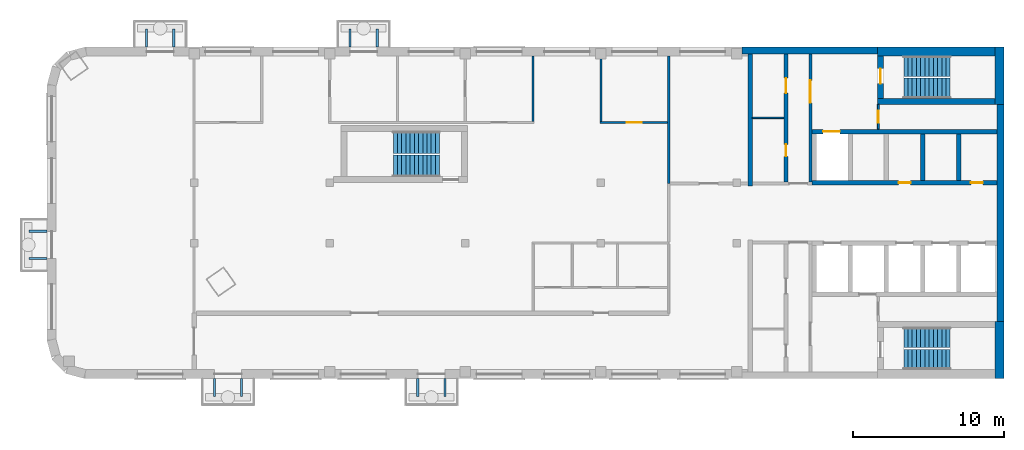
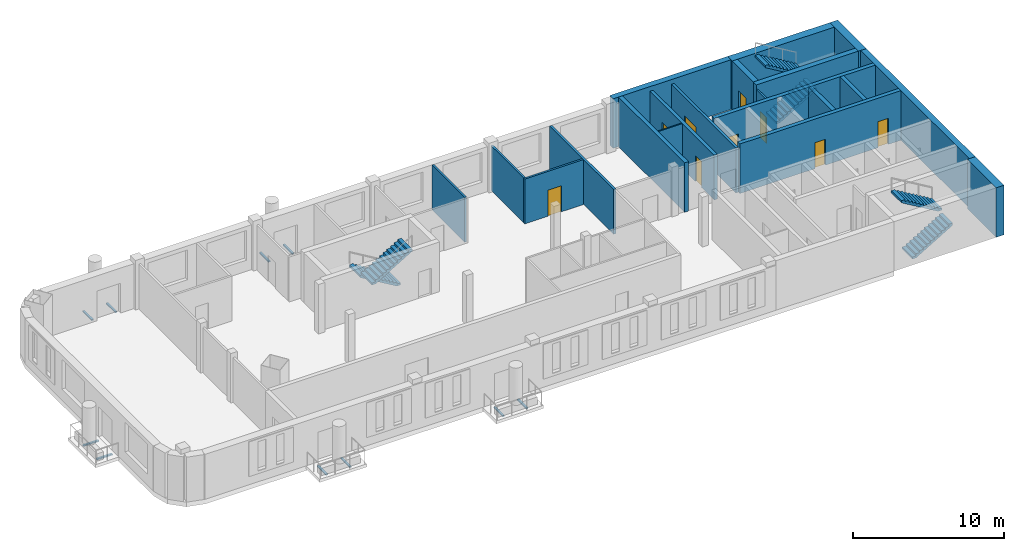
# One storey, part 4 of 7: 20 walls, 10 discrete accessories, 9 doors, 6 stair flights, 9 openings, 3 elements without a shape of their own.
"""IFC4 building model written with IfcOpenShell, lengths in metres."""

import ifcopenshell
import ifcopenshell.guid

model = None  # the IFC model being written
_history = None  # IfcOwnerHistory: only IFC2X3 demands one
_inside = {}  # id of a spatial element -> (the spatial element, [elements in it])
_under = {}  # id of a project, library or spatial element -> (it, [spatial elements below it])
_declared = {}  # id of a project -> (the project, [libraries it declares])
_typed = {}  # id of a type object -> (the type object, [elements of that type])
_made_of = {}  # id of a material, layer set ... -> (it, [elements and type objects made of it])


def new_model(schema):
    """Start an empty IFC model of exactly this schema.

    Asked for "IFC4X3", IfcOpenShell would pick the latest addendum, in which some entities
    have other attributes; the version numbers below select the first issue.
    IFC2X3 requires an IfcOwnerHistory on every rooted entity: one is made here for all.
    """
    global model, _history
    if schema == "IFC4X3":
        model = ifcopenshell.file(schema_version=(4, 3, 0, 0))
    else:
        model = ifcopenshell.file(schema=schema)
    _inside.clear()
    _under.clear()
    _declared.clear()
    _typed.clear()
    _made_of.clear()
    _history = None
    if model.schema == "IFC2X3":
        org = make("IfcOrganization", Name="unknown")
        user = make(
            "IfcPersonAndOrganization",
            ThePerson=make("IfcPerson", FamilyName="unknown"),
            TheOrganization=org,
        )
        app = make(
            "IfcApplication",
            ApplicationDeveloper=org,
            Version="unknown",
            ApplicationFullName="unknown",
            ApplicationIdentifier="unknown",
        )
        _history = make(
            "IfcOwnerHistory",
            OwningUser=user,
            OwningApplication=app,
            ChangeAction="ADDED",
            CreationDate=0,
        )
    return model


def make(cls, **values):
    """One entity of the class cls with the attributes given. An attribute that is None is left unset."""
    return model.create_entity(
        cls, **{name: value for name, value in values.items() if value is not None}
    )


def rooted(cls, **values):
    """An entity with a GlobalId (a new one), such as an element, a storey or a relation."""
    return make(cls, GlobalId=ifcopenshell.guid.new(), OwnerHistory=_history, **values)


def si_unit(unit_type, name, prefix=None):
    """IfcSIUnit, for example si_unit("LENGTHUNIT", "METRE", prefix="MILLI")."""
    return make("IfcSIUnit", UnitType=unit_type, Prefix=prefix, Name=name)


def assignment(units):
    """IfcUnitAssignment: the units of a project."""
    return None if units is None else make("IfcUnitAssignment", Units=units)


def point(xyz):
    """IfcCartesianPoint."""
    return None if xyz is None else make("IfcCartesianPoint", Coordinates=xyz)


def direction(xyz):
    """IfcDirection."""
    return None if xyz is None else make("IfcDirection", DirectionRatios=xyz)


def frame(location, z_axis=None, x_axis=None):
    """IfcAxis2Placement3D, a coordinate frame: its origin and axes. An axis left out is left unset."""
    return make(
        "IfcAxis2Placement3D",
        Location=point(location),
        Axis=direction(z_axis),
        RefDirection=direction(x_axis),
    )


def frame_2d(location, x_axis=None):
    """IfcAxis2Placement2D, a coordinate frame in the plane: its origin and x axis."""
    return make(
        "IfcAxis2Placement2D", Location=point(location), RefDirection=direction(x_axis)
    )


def origin():
    """The frame at (0, 0, 0) with its axes left unset."""
    return frame((0.0, 0.0, 0.0))


def origin_2d():
    """The frame at (0, 0) in the plane with its x axis left unset."""
    return frame_2d((0.0, 0.0))


def place(relative_to, where):
    """IfcLocalPlacement: puts the frame where relative to a parent placement (None: the world)."""
    return make(
        "IfcLocalPlacement", PlacementRelTo=relative_to, RelativePlacement=where
    )


def context(
    kind, dimensions, precision=None, world=None, true_north=None, identifier=None
):
    """IfcGeometricRepresentationContext, for example the 3D "Model" context."""
    return make(
        "IfcGeometricRepresentationContext",
        ContextIdentifier=identifier,
        ContextType=kind,
        CoordinateSpaceDimension=dimensions,
        Precision=precision,
        WorldCoordinateSystem=world,
        TrueNorth=true_north,
    )


def subcontext(parent, identifier, kind, view, scale=None):
    """IfcGeometricRepresentationSubContext, for example "Body" below "Model"."""
    return make(
        "IfcGeometricRepresentationSubContext",
        ContextIdentifier=identifier,
        ContextType=kind,
        ParentContext=parent,
        TargetScale=scale,
        TargetView=view,
    )


def project(units=None, contexts=None):
    """IfcProject with its units and contexts."""
    return rooted(
        "IfcProject",
        Name="project",
        RepresentationContexts=contexts,
        UnitsInContext=assignment(units),
    )


def spatial(cls, under=None, at=None, **own):
    """A site, building, storey or space (cls), placed at a placement, below another one or the project."""
    s = rooted(cls, ObjectPlacement=at, **own)
    if under is not None:
        _under.setdefault(under.id(), (under, []))[1].append(s)
    return s


def polyline(points):
    """IfcPolyline through the points."""
    return make("IfcPolyline", Points=[point(p) for p in points])


def profile(cls, at=None, kind="AREA", **sizes):
    """A parametric profile (cls). Its sizes go by their IFC names, for example OverallWidth=200.0."""
    return make(cls, ProfileType=kind, Position=at, **sizes)


def rectangle(**sizes):
    """IfcRectangleProfileDef."""
    return profile("IfcRectangleProfileDef", **sizes)


def outline(outer, holes=None, kind="AREA"):
    """IfcArbitraryClosedProfileDef: a profile drawn as a closed curve; with holes, ...WithVoids."""
    if holes is None:
        return make("IfcArbitraryClosedProfileDef", ProfileType=kind, OuterCurve=outer)
    return make(
        "IfcArbitraryProfileDefWithVoids",
        ProfileType=kind,
        OuterCurve=outer,
        InnerCurves=holes,
    )


def extrude(swept, where, along, depth):
    """IfcExtrudedAreaSolid: the profile swept, set in the frame where, extruded along a direction by depth."""
    return make(
        "IfcExtrudedAreaSolid",
        SweptArea=swept,
        Position=where,
        ExtrudedDirection=direction(along),
        Depth=depth,
    )


def shape(context_of_items, identifier, shape_type, items):
    """IfcShapeRepresentation: the items that make up one representation, for example the "Body"."""
    return make(
        "IfcShapeRepresentation",
        ContextOfItems=context_of_items,
        RepresentationIdentifier=identifier,
        RepresentationType=shape_type,
        Items=items,
    )


def material(Name=None, Category=None):
    """IfcMaterial."""
    return make("IfcMaterial", Name=Name, Category=Category)


def layer(
    of_material, thickness, ventilated=None, Name=None, Category=None, Priority=None
):
    """IfcMaterialLayer: one layer of a wall or slab, of a material (None: an air gap)."""
    return make(
        "IfcMaterialLayer",
        Material=of_material,
        LayerThickness=thickness,
        IsVentilated=ventilated,
        Name=Name,
        Category=Category,
        Priority=Priority,
    )


def layer_set(layers, Name=None):
    """IfcMaterialLayerSet."""
    return make("IfcMaterialLayerSet", MaterialLayers=layers, LayerSetName=Name)


def made_of(thing, what):
    """Note that an element or type object is made of a material, layer set ...; save() writes the relation."""
    if what is not None:
        _made_of.setdefault(what.id(), (what, []))[1].append(thing)
    return thing


def type_object(cls, material=None, **own):
    """A type object (cls), such as IfcWallType, which elements share."""
    return made_of(rooted(cls, **own), material)


def element(
    cls,
    number,
    at=None,
    inside=None,
    cuts=None,
    type_object=None,
    material=None,
    context=None,
    identifier="Body",
    shape_type=None,
    held_by="IfcProductDefinitionShape",
    body=None,
    shapes=None,
    **own,
):
    """One element of the class cls, such as IfcWall. Its Tag is "e" and its number.

    at: its placement. inside: the storey or other place that contains it. cuts: it is an
    opening in that element (IfcRelVoidsElement). A single representation is given by context,
    identifier, shape_type and body (its items); several are given by shapes. held_by: the class
    of the entity that holds the representations. save() writes the other relations.
    """
    e = rooted(cls, Tag="e%d" % number, ObjectPlacement=at, **own)
    if body is not None:
        shapes = [shape(context, identifier, shape_type, body)]
    if shapes is not None:
        e.Representation = make(held_by, Representations=shapes)
    if inside is not None:
        _inside.setdefault(inside.id(), (inside, []))[1].append(e)
    if cuts is not None:
        rooted(
            "IfcRelVoidsElement", RelatingBuildingElement=cuts, RelatedOpeningElement=e
        )
    if type_object is not None:
        _typed.setdefault(type_object.id(), (type_object, []))[1].append(e)
    return made_of(e, material)


def fill(opening, filler):
    """IfcRelFillsElement: the door or window that sits in an opening."""
    return rooted(
        "IfcRelFillsElement",
        RelatingOpeningElement=opening,
        RelatedBuildingElement=filler,
    )


def aggregate(whole, parts):
    """IfcRelAggregates: a whole, such as a stair, and the parts it consists of."""
    return rooted("IfcRelAggregates", RelatingObject=whole, RelatedObjects=parts)


def save(model, path):
    """Write the relations noted so far, then the file.

    IfcRelAggregates (storeys below a building ...), IfcRelContainedInSpatialStructure (elements
    in a storey), IfcRelDefinesByType, IfcRelAssociatesMaterial and IfcRelDeclares: one each for
    every whole, place, type object, material and project.
    """
    for whole, parts in _under.values():
        aggregate(whole, parts)
    for where, things in _inside.values():
        rooted(
            "IfcRelContainedInSpatialStructure",
            RelatedElements=things,
            RelatingStructure=where,
        )
    for kind, things in _typed.values():
        rooted("IfcRelDefinesByType", RelatedObjects=things, RelatingType=kind)
    for what, things in _made_of.values():
        rooted("IfcRelAssociatesMaterial", RelatedObjects=things, RelatingMaterial=what)
    for by, libraries in _declared.values():
        rooted("IfcRelDeclares", RelatingContext=by, RelatedDefinitions=libraries)
    model.write(path)


model = new_model("IFC4")

# Units and contexts
model_context = context("Model", 3, precision=1e-05, world=origin(), true_north=direction((0.0, 1.0)))
body_context = subcontext(model_context, "Body", "Model", "MODEL_VIEW")
ifc_project = project(units=[si_unit("LENGTHUNIT", "METRE"), si_unit("AREAUNIT", "SQUARE_METRE"), si_unit("VOLUMEUNIT", "CUBIC_METRE"), si_unit("PLANEANGLEUNIT", "RADIAN"), si_unit("MASSUNIT", "GRAM", prefix="KILO")], contexts=[model_context])

# Site, building, storey
site_placement = place(None, origin())
site = spatial("IfcSite", under=ifc_project, at=site_placement, CompositionType="ELEMENT")
building_placement = place(site_placement, origin())
building = spatial("IfcBuilding", under=site, at=building_placement, Name="Skarvind Civic Tower", CompositionType="ELEMENT")
storey_placement = place(building_placement, frame((0.0, 0.0, 265.5)))
storey = spatial("IfcBuildingStorey", under=building, at=storey_placement, Name="L63", CompositionType="ELEMENT", Elevation=265.5)

# Wall
ifc_material_1 = material(Name="Acoustic gypsum board on steel studs", Category="steel")
ifc_layer_1 = layer(ifc_material_1, 0.175048828125)
ifc_layer_set_1 = layer_set([ifc_layer_1], Name="ACOUSTIC MEETING-ROOM PARTITION 175")
wall_type_1 = type_object("IfcWallType", Name="ACOUSTIC MEETING-ROOM PARTITION 175", PredefinedType="PARTITIONING", material=ifc_layer_set_1)
wall_1_placement = place(storey_placement, frame((85.75, 129.949951171875, 0.0), z_axis=(0.0, 0.0, 1.0), x_axis=(0.0, 1.0, 0.0)))
element("IfcWall", 1, at=wall_1_placement, inside=storey, type_object=wall_type_1, Name="Partition 63.019", PredefinedType="PARTITIONING", context=body_context, shape_type="SweptSolid", body=[
    extrude(rectangle(XDim=8.449951171875, YDim=0.175048828125, at=frame_2d((4.22509765625, 0.0))), origin(), (0.0, 0.0, 1.0), 3.625),
])

# Wall, opening, door
ifc_material_2 = material(Name="Fire-rated masonry partition", Category="masonry")
ifc_layer_2 = layer(ifc_material_2, 0.199951171875)
ifc_layer_set_2 = layer_set([ifc_layer_2], Name="Core enclosure wall 200")
wall_type_2 = type_object("IfcWallType", Name="Core enclosure wall 200", PredefinedType="PARTITIONING", material=ifc_layer_set_2)
wall_2_placement = place(storey_placement, frame((95.14990234375, 130.050048828125, 0.0), z_axis=(0.0, 0.0, 1.0), x_axis=(0.0, 1.0, 0.0)))
wall_2 = element("IfcWall", 2, at=wall_2_placement, inside=storey, type_object=wall_type_2, Name="Core wall C1", PredefinedType="PARTITIONING", context=body_context, shape_type="SweptSolid", body=[
    extrude(rectangle(XDim=8.5, YDim=0.199951171875, at=frame_2d((4.25, 0.0))), origin(), (0.0, 0.0, 1.0), 3.625),
])
opening_1_placement = place(wall_2_placement, frame((5.25, 0.0, 0.0)))
opening_1 = element("IfcOpeningElement", 3, at=opening_1_placement, cuts=wall_2, Name="Opening D-L63-C1-14", PredefinedType="OPENING", context=body_context, shape_type="SweptSolid", body=[
    extrude(rectangle(XDim=1.5, YDim=2.10009765625, at=frame_2d((0.75, 1.050048828125))), frame((0.0, 0.10986328125, 0.0), z_axis=(0.0, -1.0, 0.0), x_axis=(1.0, 0.0, 0.0)), (0.0, 0.0, 1.0), 0.219970703125),
])
ifc_material_3 = material(Name="Fire-rated steel door", Category="steel")
door_type_1 = type_object("IfcDoorType", Name="Fire door 1500", OperationType="NOTDEFINED", PredefinedType="DOOR", material=ifc_material_3)
door_1_placement = place(opening_1_placement, origin())
door_1 = element("IfcDoor", 4, at=door_1_placement, inside=storey, type_object=door_type_1, Name="Fire door", OperationType="DOUBLE_DOOR_SINGLE_SWING", OverallHeight=2.10009765625, OverallWidth=1.5, PredefinedType="DOOR", context=body_context, shape_type="SweptSolid", body=[
    extrude(rectangle(XDim=1.5, YDim=2.10009765625, at=frame_2d((0.75, 1.050048828125))), frame((0.0, 0.02490234375, 0.0), z_axis=(0.0, -1.0, 0.0), x_axis=(1.0, 0.0, 0.0)), (0.0, 0.0, 1.0), 0.050048828125),
])
fill(opening_1, door_1)

# Wall
ifc_material_4 = material(Name="Fire-rated plasterboard partition")
ifc_layer_3 = layer(ifc_material_4, 0.10009765625)
ifc_layer_set_3 = layer_set([ifc_layer_3], Name="Core partition wall 100")
wall_type_3 = type_object("IfcWallType", Name="Core partition wall 100", PredefinedType="PARTITIONING", material=ifc_layer_set_3)
wall_3_placement = place(storey_placement, frame((91.300048828125, 134.300048828125, 0.0), z_axis=(0.0, 0.0, 1.0), x_axis=(1.0, 0.0, 0.0)))
element("IfcWall", 5, at=wall_3_placement, inside=storey, type_object=wall_type_3, Name="Core wall C1", PredefinedType="PARTITIONING", context=body_context, shape_type="SweptSolid", body=[
    extrude(rectangle(XDim=2.099853515625, YDim=0.10009765625, at=frame_2d((1.0498046875, 0.0))), origin(), (0.0, 0.0, 1.0), 3.625),
])

# Wall, openings, doors
ifc_material_5 = material(Name="Concrete C60", Category="concrete")
ifc_layer_4 = layer(ifc_material_5, 0.300048828125)
ifc_layer_set_4 = layer_set([ifc_layer_4], Name="Core wall 300 C60")
wall_type_4 = type_object("IfcWallType", Name="Core wall 300 C60", PredefinedType="SHEAR", material=ifc_layer_set_4)
wall_4_placement = place(storey_placement, frame((107.550048828125, 130.0, 0.0), z_axis=(0.0, 0.0, 1.0), x_axis=(-1.0, 0.0, 0.0)))
wall_4 = element("IfcWall", 6, at=wall_4_placement, inside=storey, type_object=wall_type_4, Name="Core wall C1 south lift row front L63", PredefinedType="SHEAR", context=body_context, shape_type="SweptSolid", body=[
    extrude(rectangle(XDim=12.300048828125, YDim=0.300048828125, at=frame_2d((6.14990234375, 0.0))), origin(), (0.0, 0.0, 1.0), 4.0),
])
opening_2_placement = place(wall_4_placement, frame((0.949951171875, 0.0, 0.0)))
opening_2 = element("IfcOpeningElement", 7, at=opening_2_placement, cuts=wall_4, Name="Opening D-L63-C1-05", PredefinedType="OPENING", context=body_context, shape_type="SweptSolid", body=[
    extrude(rectangle(XDim=0.800048828125, YDim=2.10009765625, at=frame_2d((0.39990234375, 1.050048828125))), frame((0.0, 0.159912109375, 0.0), z_axis=(0.0, -1.0, 0.0), x_axis=(1.0, 0.0, 0.0)), (0.0, 0.0, 1.0), 0.320068359375),
])
opening_3_placement = place(wall_4_placement, frame((5.75, 0.0, 0.0)))
opening_3 = element("IfcOpeningElement", 8, at=opening_3_placement, cuts=wall_4, Name="Opening D-L63-C1-06", PredefinedType="OPENING", context=body_context, shape_type="SweptSolid", body=[
    extrude(rectangle(XDim=0.800048828125, YDim=2.10009765625, at=frame_2d((0.39990234375, 1.050048828125))), frame((0.0, 0.159912109375, 0.0), z_axis=(0.0, -1.0, 0.0), x_axis=(1.0, 0.0, 0.0)), (0.0, 0.0, 1.0), 0.320068359375),
])
door_type_2 = type_object("IfcDoorType", Name="Core riser door 800", OperationType="NOTDEFINED", PredefinedType="DOOR", material=ifc_material_3)
door_2_placement = place(opening_2_placement, origin())
door_2 = element("IfcDoor", 9, at=door_2_placement, inside=storey, type_object=door_type_2, Name="Riser door", OperationType="SINGLE_SWING_LEFT", OverallHeight=2.10009765625, OverallWidth=0.800048828125, PredefinedType="DOOR", context=body_context, shape_type="SweptSolid", body=[
    extrude(rectangle(XDim=0.800048828125, YDim=2.10009765625, at=frame_2d((0.39990234375, 1.050048828125))), frame((0.0, 0.02490234375, 0.0), z_axis=(0.0, -1.0, 0.0), x_axis=(1.0, 0.0, 0.0)), (0.0, 0.0, 1.0), 0.050048828125),
])
fill(opening_2, door_2)
door_3_placement = place(opening_3_placement, origin())
door_3 = element("IfcDoor", 10, at=door_3_placement, inside=storey, type_object=door_type_2, Name="Riser door", OperationType="SINGLE_SWING_RIGHT", OverallHeight=2.10009765625, OverallWidth=0.800048828125, PredefinedType="DOOR", context=body_context, shape_type="SweptSolid", body=[
    extrude(rectangle(XDim=0.800048828125, YDim=2.10009765625, at=frame_2d((0.39990234375, 1.050048828125))), frame((0.0, 0.02490234375, 0.0), z_axis=(0.0, -1.0, 0.0), x_axis=(1.0, 0.0, 0.0)), (0.0, 0.0, 1.0), 0.050048828125),
])
fill(opening_3, door_3)

# Wall, opening, door
wall_5_placement = place(storey_placement, frame((107.550048828125, 133.39990234375, 0.0), z_axis=(0.0, 0.0, 1.0), x_axis=(-1.0, 0.0, 0.0)))
wall_5 = element("IfcWall", 11, at=wall_5_placement, inside=storey, type_object=wall_type_4, Name="Core wall C1 south lift row back L63", PredefinedType="SHEAR", context=body_context, shape_type="SweptSolid", body=[
    extrude(rectangle(XDim=12.300048828125, YDim=0.300048828125, at=frame_2d((6.14990234375, 0.0))), origin(), (0.0, 0.0, 1.0), 4.0),
])
opening_4_placement = place(wall_5_placement, frame((10.449951171875, 0.0, 0.0)))
opening_4 = element("IfcOpeningElement", 12, at=opening_4_placement, cuts=wall_5, Name="Opening LD65110", PredefinedType="OPENING", context=body_context, shape_type="SweptSolid", body=[
    extrude(rectangle(XDim=1.10009765625, YDim=2.10009765625, at=frame_2d((0.550048828125, 1.050048828125))), frame((0.0, 0.159912109375, 0.0), z_axis=(0.0, -1.0, 0.0), x_axis=(1.0, 0.0, 0.0)), (0.0, 0.0, 1.0), 0.320068359375),
])
ifc_material_6 = material(Name="Stainless steel landing door", Category="steel")
door_type_3 = type_object("IfcDoorType", Name="Lift landing door 1100", OperationType="DOUBLE_DOOR_SLIDING", PredefinedType="DOOR", material=ifc_material_6)
door_4_placement = place(opening_4_placement, origin())
door_4 = element("IfcDoor", 13, at=door_4_placement, inside=storey, type_object=door_type_3, Name="Lift landing door", OperationType="DOUBLE_DOOR_SLIDING", OverallHeight=2.10009765625, OverallWidth=1.10009765625, PredefinedType="DOOR", context=body_context, shape_type="SweptSolid", body=[
    extrude(rectangle(XDim=1.10009765625, YDim=2.10009765625, at=frame_2d((0.550048828125, 1.050048828125))), frame((0.0, 0.02490234375, 0.0), z_axis=(0.0, -1.0, 0.0), x_axis=(1.0, 0.0, 0.0)), (0.0, 0.0, 1.0), 0.050048828125),
])
fill(opening_4, door_4)

# Walls
for number, where, z_axis, x_axis, name in (
    (14, (105.0, 133.25, 0.0), (0.0, 0.0, 1.0), (0.0, -1.0, 0.0), "Core wall C1 south lift row division 1 L63"),
    (15, (102.60009765625, 133.25, 0.0), (0.0, 0.0, 1.0), (0.0, -1.0, 0.0), "Core wall C1 south lift row division 2 L63"),
):
    element("IfcWall", number, at=place(storey_placement, frame(where, z_axis=z_axis, x_axis=x_axis)), inside=storey, type_object=wall_type_4, Name=name, PredefinedType="SHEAR", context=body_context, shape_type="SweptSolid", body=[
        extrude(rectangle(XDim=3.10009765625, YDim=0.300048828125, at=frame_2d((1.550048828125, 0.0))), origin(), (0.0, 0.0, 1.0), 4.0),
    ])
wall_6_placement = place(storey_placement, frame((91.14990234375, 138.550048828125, 0.0), z_axis=(0.0, 0.0, 1.0), x_axis=(0.0, -1.0, 0.0)))
element("IfcWall", 16, at=wall_6_placement, inside=storey, type_object=wall_type_4, Name="Core wall C1 south inner face L63", PredefinedType="SHEAR", context=body_context, shape_type="SweptSolid", body=[
    extrude(rectangle(XDim=8.75, YDim=0.300048828125, at=frame_2d((4.375, 0.0))), origin(), (0.0, 0.0, 1.0), 4.0),
])
ifc_layer_5 = layer(ifc_material_5, 0.39990234375)
ifc_layer_set_5 = layer_set([ifc_layer_5], Name="Core wall 400 C60")
wall_type_5 = type_object("IfcWallType", Name="Core wall 400 C60", PredefinedType="SHEAR", material=ifc_layer_set_5)
wall_7_placement = place(storey_placement, frame((107.39990234375, 135.39990234375, 0.0), z_axis=(0.0, 0.0, 1.0), x_axis=(-1.0, 0.0, 0.0)))
element("IfcWall", 17, at=wall_7_placement, inside=storey, type_object=wall_type_5, Name="Core wall C1 south stair inner L63", PredefinedType="SHEAR", context=body_context, shape_type="SweptSolid", body=[
    extrude(rectangle(XDim=7.7998046875, YDim=0.39990234375, at=frame_2d((3.89990234375, 0.0))), origin(), (0.0, 0.0, 1.0), 4.0),
])

# Wall, opening, door
wall_8_placement = place(storey_placement, frame((99.800048828125, 138.39990234375, 0.0), z_axis=(0.0, 0.0, 1.0), x_axis=(0.0, -1.0, 0.0)))
wall_8 = element("IfcWall", 18, at=wall_8_placement, inside=storey, type_object=wall_type_5, Name="Core wall C1 south stair end L63", PredefinedType="SHEAR", context=body_context, shape_type="SweptSolid", body=[
    extrude(rectangle(XDim=2.7998046875, YDim=0.39990234375, at=frame_2d((1.39990234375, 0.0))), origin(), (0.0, 0.0, 1.0), 4.0),
])
opening_5_placement = place(wall_8_placement, frame((0.824951171875, 0.0, 0.0)))
opening_5 = element("IfcOpeningElement", 19, at=opening_5_placement, cuts=wall_8, Name="Opening D-L63-C1-15", PredefinedType="OPENING", context=body_context, shape_type="SweptSolid", body=[
    extrude(rectangle(XDim=1.0, YDim=2.10009765625, at=frame_2d((0.5, 1.050048828125))), frame((0.0, 0.2099609375, 0.0), z_axis=(0.0, -1.0, 0.0), x_axis=(1.0, 0.0, 0.0)), (0.0, 0.0, 1.0), 0.419921875),
])
door_type_4 = type_object("IfcDoorType", Name="Fire door 1000", OperationType="NOTDEFINED", PredefinedType="DOOR", material=ifc_material_3)
door_5_placement = place(opening_5_placement, origin())
door_5 = element("IfcDoor", 20, at=door_5_placement, inside=storey, type_object=door_type_4, Name="Fire door", OperationType="SINGLE_SWING_RIGHT", OverallHeight=2.10009765625, OverallWidth=1.0, PredefinedType="DOOR", context=body_context, shape_type="SweptSolid", body=[
    extrude(rectangle(XDim=1.0, YDim=2.10009765625, at=frame_2d((0.5, 1.050048828125))), frame((0.0, 0.02490234375, 0.0), z_axis=(0.0, -1.0, 0.0), x_axis=(1.0, 0.0, 0.0)), (0.0, 0.0, 1.0), 0.050048828125),
])
fill(opening_5, door_5)

# Walls
ifc_layer_6 = layer(ifc_material_5, 0.449951171875)
ifc_layer_set_6 = layer_set([ifc_layer_6], Name="Core wall 450 C60")
wall_type_6 = type_object("IfcWallType", Name="Core wall 450 C60", PredefinedType="SHEAR", material=ifc_layer_set_6)
wall_9_placement = place(storey_placement, frame((107.77490234375, 135.199951171875, 0.0), z_axis=(0.0, 0.0, 1.0), x_axis=(0.0, -1.0, 0.0)))
element("IfcWall", 21, at=wall_9_placement, inside=storey, type_object=wall_type_6, Name="Core wall C1 tip between the stairs L63", PredefinedType="SHEAR", context=body_context, shape_type="SweptSolid", body=[
    extrude(rectangle(XDim=14.39990234375, YDim=0.449951171875, at=frame_2d((7.199951171875, 0.0))), origin(), (0.0, 0.0, 1.0), 4.0),
])
wall_10_placement = place(storey_placement, frame((99.60009765625, 138.77490234375, 0.0), z_axis=(0.0, 0.0, 1.0), x_axis=(-1.0, 0.0, 0.0)))
element("IfcWall", 22, at=wall_10_placement, inside=storey, type_object=wall_type_6, Name="Core wall C1 south side L63", PredefinedType="SHEAR", context=body_context, shape_type="SweptSolid", body=[
    extrude(rectangle(XDim=9.0, YDim=0.449951171875, at=frame_2d((4.5, 0.0))), origin(), (0.0, 0.0, 1.0), 4.0),
])
ifc_layer_7 = layer(ifc_material_5, 0.60009765625)
ifc_layer_set_7 = layer_set([ifc_layer_7], Name="Core wall 600 C60")
wall_type_7 = type_object("IfcWallType", Name="Core wall 600 C60", PredefinedType="SHEAR", material=ifc_layer_set_7)
for number, where, z_axis, x_axis, name in (
    (23, (107.699951171875, 139.0, 0.0), (0.0, 0.0, 1.0), (0.0, -1.0, 0.0), "Core wall C1 tip at the south stair L63"),
    (24, (107.699951171875, 120.800048828125, 0.0), (0.0, 0.0, 1.0), (0.0, -1.0, 0.0), "Core wall C1 tip at the north stair L63"),
):
    element("IfcWall", number, at=place(storey_placement, frame(where, z_axis=z_axis, x_axis=x_axis)), inside=storey, type_object=wall_type_7, Name=name, PredefinedType="SHEAR", context=body_context, shape_type="SweptSolid", body=[
        extrude(rectangle(XDim=3.800048828125, YDim=0.60009765625, at=frame_2d((1.89990234375, 0.0))), origin(), (0.0, 0.0, 1.0), 4.0),
    ])
wall_11_placement = place(storey_placement, frame((107.39990234375, 138.699951171875, 0.0), z_axis=(0.0, 0.0, 1.0), x_axis=(-1.0, 0.0, 0.0)))
element("IfcWall", 25, at=wall_11_placement, inside=storey, type_object=wall_type_7, Name="Core wall C1 south side at the stair L63", PredefinedType="SHEAR", context=body_context, shape_type="SweptSolid", body=[
    extrude(rectangle(XDim=7.7998046875, YDim=0.60009765625, at=frame_2d((3.89990234375, 0.0))), origin(), (0.0, 0.0, 1.0), 4.0),
])
ifc_material_7 = material(Name="Plasterboard partition on steel studs", Category="steel")
ifc_layer_8 = layer(ifc_material_7, 0.14990234375)
ifc_layer_set_8 = layer_set([ifc_layer_8], Name="PARTITION 150")
wall_type_8 = type_object("IfcWallType", Name="PARTITION 150", PredefinedType="PARTITIONING", material=ifc_layer_set_8)
for number, where, z_axis, x_axis, name in (
    (26, (76.75, 138.39990234375, 0.0), (0.0, 0.0, 1.0), (0.0, -1.0, 0.0), "Partition 63.013"),
    (27, (81.25, 134.074951171875, 0.0), (0.0, 0.0, 1.0), (0.0, 1.0, 0.0), "Partition 63.015"),
):
    element("IfcWall", number, at=place(storey_placement, frame(where, z_axis=z_axis, x_axis=x_axis)), inside=storey, type_object=wall_type_8, Name=name, PredefinedType="PARTITIONING", context=body_context, shape_type="SweptSolid", body=[
        extrude(rectangle(XDim=4.324951171875, YDim=0.14990234375, at=frame_2d((2.16259765625, 0.0))), origin(), (0.0, 0.0, 1.0), 3.625),
    ])

# Wall, opening, door
wall_12_placement = place(storey_placement, frame((85.662109375, 134.0, 0.0), z_axis=(0.0, 0.0, 1.0), x_axis=(-1.0, 0.0, 0.0)))
wall_12 = element("IfcWall", 28, at=wall_12_placement, inside=storey, type_object=wall_type_8, Name="Partition 63.020", PredefinedType="PARTITIONING", context=body_context, shape_type="SweptSolid", body=[
    extrude(rectangle(XDim=4.487060546875, YDim=0.14990234375, at=frame_2d((2.24365234375, 0.0))), origin(), (0.0, 0.0, 1.0), 3.625),
])
opening_6_placement = place(wall_12_placement, frame((1.696044921875, 0.0, 0.0)))
opening_6 = element("IfcOpeningElement", 29, at=opening_6_placement, cuts=wall_12, Name="Opening L63-D006", PredefinedType="OPENING", context=body_context, shape_type="SweptSolid", body=[
    extrude(rectangle(XDim=1.0, YDim=2.10009765625, at=frame_2d((0.5, 1.050048828125))), frame((0.0, 0.0849609375, 0.0), z_axis=(0.0, -1.0, 0.0), x_axis=(1.0, 0.0, 0.0)), (0.0, 0.0, 1.0), 0.169921875),
])
ifc_material_8 = material(Name="Timber door leaf", Category="wood")
door_type_5 = type_object("IfcDoorType", Name="D1 1000x2100", OperationType="NOTDEFINED", PredefinedType="DOOR", material=ifc_material_8)
door_6_placement = place(opening_6_placement, origin())
door_6 = element("IfcDoor", 30, at=door_6_placement, inside=storey, type_object=door_type_5, Name="Door L63-D006", OperationType="SINGLE_SWING_LEFT", OverallHeight=2.10009765625, OverallWidth=1.0, PredefinedType="DOOR", context=body_context, shape_type="SweptSolid", body=[
    extrude(rectangle(XDim=1.0, YDim=2.10009765625, at=frame_2d((0.5, 1.050048828125))), frame((0.0, 0.02490234375, 0.0), z_axis=(0.0, -1.0, 0.0), x_axis=(1.0, 0.0, 0.0)), (0.0, 0.0, 1.0), 0.050048828125),
])
fill(opening_6, door_6)

ifc_layer_9 = layer(ifc_material_2, 0.125)
ifc_layer_set_9 = layer_set([ifc_layer_9], Name="Riser wall 125")
wall_type_9 = type_object("IfcWallType", Name="Riser wall 125", PredefinedType="PARTITIONING", material=ifc_layer_set_9)
wall_13_placement = place(storey_placement, frame((99.66259765625, 133.550048828125, 0.0), z_axis=(0.0, 0.0, 1.0), x_axis=(0.0, 1.0, 0.0)))
wall_13 = element("IfcWall", 31, at=wall_13_placement, inside=storey, type_object=wall_type_9, Name="Core wall C1", PredefinedType="PARTITIONING", context=body_context, shape_type="SweptSolid", body=[
    extrude(rectangle(XDim=1.64990234375, YDim=0.125, at=frame_2d((0.824951171875, 0.0))), origin(), (0.0, 0.0, 1.0), 3.625),
])
opening_7_placement = place(wall_13_placement, frame((0.425048828125, 0.0, 0.0)))
opening_7 = element("IfcOpeningElement", 32, at=opening_7_placement, cuts=wall_13, Name="Opening D-L63-C1-16", PredefinedType="OPENING", context=body_context, shape_type="SweptSolid", body=[
    extrude(rectangle(XDim=0.800048828125, YDim=2.10009765625, at=frame_2d((0.39990234375, 1.050048828125))), frame((0.0, 0.072509765625, 0.0), z_axis=(0.0, -1.0, 0.0), x_axis=(1.0, 0.0, 0.0)), (0.0, 0.0, 1.0), 0.14501953125),
])
door_7_placement = place(opening_7_placement, origin())
door_7 = element("IfcDoor", 33, at=door_7_placement, inside=storey, type_object=door_type_2, Name="Riser door", OperationType="SINGLE_SWING_LEFT", OverallHeight=2.10009765625, OverallWidth=0.800048828125, PredefinedType="DOOR", context=body_context, shape_type="SweptSolid", body=[
    extrude(rectangle(XDim=0.800048828125, YDim=2.10009765625, at=frame_2d((0.39990234375, 1.050048828125))), frame((0.0, 0.02490234375, 0.0), z_axis=(0.0, -1.0, 0.0), x_axis=(1.0, 0.0, 0.0)), (0.0, 0.0, 1.0), 0.050048828125),
])
fill(opening_7, door_7)

# Wall, openings, doors
ifc_layer_10 = layer(ifc_material_2, 0.25)
ifc_layer_set_10 = layer_set([ifc_layer_10], Name="Service block wall 250")
wall_type_10 = type_object("IfcWallType", Name="Service block wall 250", PredefinedType="PARTITIONING", material=ifc_layer_set_10)
wall_14_placement = place(storey_placement, frame((93.52490234375, 130.050048828125, 0.0), z_axis=(0.0, 0.0, 1.0), x_axis=(0.0, 1.0, 0.0)))
wall_14 = element("IfcWall", 34, at=wall_14_placement, inside=storey, type_object=wall_type_10, Name="Core wall C1", PredefinedType="PARTITIONING", context=body_context, shape_type="SweptSolid", body=[
    extrude(rectangle(XDim=8.5, YDim=0.25, at=frame_2d((4.25, 0.0))), origin(), (0.0, 0.0, 1.0), 3.625),
])
opening_8_placement = place(wall_14_placement, frame((1.699951171875, 0.0, 0.0)))
opening_8 = element("IfcOpeningElement", 35, at=opening_8_placement, cuts=wall_14, Name="Opening D-L63-C1-17", PredefinedType="OPENING", context=body_context, shape_type="SweptSolid", body=[
    extrude(rectangle(XDim=0.800048828125, YDim=2.10009765625, at=frame_2d((0.39990234375, 1.050048828125))), frame((0.0, 0.135009765625, 0.0), z_axis=(0.0, -1.0, 0.0), x_axis=(1.0, 0.0, 0.0)), (0.0, 0.0, 1.0), 0.27001953125),
])
opening_9_placement = place(wall_14_placement, frame((5.89990234375, 0.0, 0.0)))
opening_9 = element("IfcOpeningElement", 36, at=opening_9_placement, cuts=wall_14, Name="Opening D-L63-C1-18", PredefinedType="OPENING", context=body_context, shape_type="SweptSolid", body=[
    extrude(rectangle(XDim=1.0, YDim=2.10009765625, at=frame_2d((0.5, 1.050048828125))), frame((0.0, 0.135009765625, 0.0), z_axis=(0.0, -1.0, 0.0), x_axis=(1.0, 0.0, 0.0)), (0.0, 0.0, 1.0), 0.27001953125),
])
door_8_placement = place(opening_8_placement, origin())
door_8 = element("IfcDoor", 37, at=door_8_placement, inside=storey, type_object=door_type_2, Name="Riser door", OperationType="SINGLE_SWING_RIGHT", OverallHeight=2.10009765625, OverallWidth=0.800048828125, PredefinedType="DOOR", context=body_context, shape_type="SweptSolid", body=[
    extrude(rectangle(XDim=0.800048828125, YDim=2.10009765625, at=frame_2d((0.39990234375, 1.050048828125))), frame((0.0, 0.02490234375, 0.0), z_axis=(0.0, -1.0, 0.0), x_axis=(1.0, 0.0, 0.0)), (0.0, 0.0, 1.0), 0.050048828125),
])
fill(opening_8, door_8)
door_9_placement = place(opening_9_placement, origin())
door_9 = element("IfcDoor", 38, at=door_9_placement, inside=storey, type_object=door_type_4, Name="Fire door", OperationType="SINGLE_SWING_LEFT", OverallHeight=2.10009765625, OverallWidth=1.0, PredefinedType="DOOR", context=body_context, shape_type="SweptSolid", body=[
    extrude(rectangle(XDim=1.0, YDim=2.10009765625, at=frame_2d((0.5, 1.050048828125))), frame((0.0, 0.02490234375, 0.0), z_axis=(0.0, -1.0, 0.0), x_axis=(1.0, 0.0, 0.0)), (0.0, 0.0, 1.0), 0.050048828125),
])
fill(opening_9, door_9)

# Stair, stair flights
ifc_material_9 = material(Name="Concrete C40/50", Category="concrete")
stair_type_1 = type_object("IfcStairType", Name="Exit stair 1450, half-turn, concrete", PredefinedType="HALF_TURN_STAIR", material=ifc_material_9)
stair_1_placement = place(storey_placement, origin())
stair_1 = element("IfcStair", 39, at=stair_1_placement, inside=storey, type_object=stair_type_1, Name="Exit stair CM", PredefinedType="HALF_TURN_STAIR")
stair_flight_type_1 = type_object("IfcStairFlightType", Name="Stair flight 1450, concrete", PredefinedType="STRAIGHT", material=ifc_material_9)
stair_flight_1_placement = place(storey_placement, frame((70.550048828125, 132.675048828125, 0.0), z_axis=(0.0, 0.0, 1.0), x_axis=(-1.0, 0.0, 0.0)))
stair_flight_1 = element("IfcStairFlight", 40, at=stair_flight_1_placement, type_object=stair_flight_type_1, Name="ST-CM flight 1", NumberOfRisers=12, NumberOfTreads=11, PredefinedType="STRAIGHT", RiserHeight=0.166666667, TreadLength=0.28, context=body_context, shape_type="SweptSolid", body=[
    extrude(outline(polyline([(0.0, 0.0), (0.0, 0.166748046875), (0.280029296875, 0.166748046875), (0.280029296875, 0.333251953125), (0.56005859375, 0.333251953125), (0.56005859375, 0.5), (0.840087890625, 0.5), (0.840087890625, 0.666748046875), (1.1201171875, 0.666748046875), (1.1201171875, 0.833251953125), (1.39990234375, 0.833251953125), (1.39990234375, 1.0), (1.679931640625, 1.0), (1.679931640625, 1.166748046875), (1.9599609375, 1.166748046875), (1.9599609375, 1.333251953125), (2.239990234375, 1.333251953125), (2.239990234375, 1.5), (2.52001953125, 1.5), (2.52001953125, 1.666748046875), (2.800048828125, 1.666748046875), (2.800048828125, 1.833251953125), (3.080078125, 1.833251953125), (3.080078125, 2.0), (3.080078125, 1.658935546875), (0.29296875, 0.0), (0.0, 0.0)])), frame((0.0, 0.72509765625, 0.0), z_axis=(0.0, -1.0, 0.0), x_axis=(1.0, 0.0, 0.0)), (0.0, 0.0, 1.0), 1.449951171875),
])
stair_flight_2_placement = place(storey_placement, frame((67.469970703125, 131.125, 2.0), z_axis=(0.0, 0.0, 1.0), x_axis=(1.0, 0.0, 0.0)))
stair_flight_2 = element("IfcStairFlight", 41, at=stair_flight_2_placement, type_object=stair_flight_type_1, Name="ST-CM flight 2", NumberOfRisers=12, NumberOfTreads=11, PredefinedType="STRAIGHT", RiserHeight=0.166666667, TreadLength=0.28, context=body_context, shape_type="SweptSolid", body=[
    extrude(outline(polyline([(0.0, 0.0), (0.0, 0.166748046875), (0.280029296875, 0.166748046875), (0.280029296875, 0.333251953125), (0.56005859375, 0.333251953125), (0.56005859375, 0.5), (0.840087890625, 0.5), (0.840087890625, 0.666748046875), (1.1201171875, 0.666748046875), (1.1201171875, 0.833251953125), (1.39990234375, 0.833251953125), (1.39990234375, 1.0), (1.679931640625, 1.0), (1.679931640625, 1.166748046875), (1.9599609375, 1.166748046875), (1.9599609375, 1.333251953125), (2.239990234375, 1.333251953125), (2.239990234375, 1.5), (2.52001953125, 1.5), (2.52001953125, 1.666748046875), (2.800048828125, 1.666748046875), (2.800048828125, 1.833251953125), (3.080078125, 1.833251953125), (3.080078125, 2.0), (3.080078125, 1.658935546875), (0.29296875, 0.0), (0.0, 0.0)])), frame((0.0, 0.72509765625, 0.0), z_axis=(0.0, -1.0, 0.0), x_axis=(1.0, 0.0, 0.0)), (0.0, 0.0, 1.0), 1.449951171875),
])
aggregate(stair_1, [stair_flight_1, stair_flight_2])

stair_type_2 = type_object("IfcStairType", Name="Exit stair, half-turn, concrete", PredefinedType="HALF_TURN_STAIR", material=ifc_material_9)
stair_2_placement = place(storey_placement, origin())
stair_2 = element("IfcStair", 42, at=stair_2_placement, inside=storey, type_object=stair_type_2, Name="Exit stair C1S", PredefinedType="HALF_TURN_STAIR")
stair_flight_type_2 = type_object("IfcStairFlightType", Name="Stair flight, concrete", PredefinedType="STRAIGHT", material=ifc_material_9)
stair_flight_3_placement = place(storey_placement, frame((101.35009765625, 136.27490234375, 0.0), z_axis=(0.0, 0.0, 1.0), x_axis=(1.0, 0.0, 0.0)))
stair_flight_3 = element("IfcStairFlight", 43, at=stair_flight_3_placement, type_object=stair_flight_type_2, Name="ST-C1S flight 1", NumberOfRisers=12, NumberOfTreads=11, PredefinedType="STRAIGHT", RiserHeight=0.166666667, TreadLength=0.28, context=body_context, shape_type="SweptSolid", body=[
    extrude(outline(polyline([(0.0, 0.0), (0.0, 0.166748046875), (0.280029296875, 0.166748046875), (0.280029296875, 0.333251953125), (0.56005859375, 0.333251953125), (0.56005859375, 0.5), (0.840087890625, 0.5), (0.840087890625, 0.666748046875), (1.1201171875, 0.666748046875), (1.1201171875, 0.833251953125), (1.39990234375, 0.833251953125), (1.39990234375, 1.0), (1.679931640625, 1.0), (1.679931640625, 1.166748046875), (1.9599609375, 1.166748046875), (1.9599609375, 1.333251953125), (2.239990234375, 1.333251953125), (2.239990234375, 1.5), (2.52001953125, 1.5), (2.52001953125, 1.666748046875), (2.800048828125, 1.666748046875), (2.800048828125, 1.833251953125), (3.080078125, 1.833251953125), (3.080078125, 2.0), (3.080078125, 1.658935546875), (0.29296875, 0.0), (0.0, 0.0)])), frame((0.0, 0.675048828125, 0.0), z_axis=(0.0, -1.0, 0.0), x_axis=(1.0, 0.0, 0.0)), (0.0, 0.0, 1.0), 1.35009765625),
])
stair_flight_4_placement = place(storey_placement, frame((104.429931640625, 137.72509765625, 2.0), z_axis=(0.0, 0.0, 1.0), x_axis=(-1.0, 0.0, 0.0)))
stair_flight_4 = element("IfcStairFlight", 44, at=stair_flight_4_placement, type_object=stair_flight_type_2, Name="ST-C1S flight 2", NumberOfRisers=12, NumberOfTreads=11, PredefinedType="STRAIGHT", RiserHeight=0.166666667, TreadLength=0.28, context=body_context, shape_type="SweptSolid", body=[
    extrude(outline(polyline([(0.0, 0.0), (0.0, 0.166748046875), (0.280029296875, 0.166748046875), (0.280029296875, 0.333251953125), (0.56005859375, 0.333251953125), (0.56005859375, 0.5), (0.840087890625, 0.5), (0.840087890625, 0.666748046875), (1.1201171875, 0.666748046875), (1.1201171875, 0.833251953125), (1.39990234375, 0.833251953125), (1.39990234375, 1.0), (1.679931640625, 1.0), (1.679931640625, 1.166748046875), (1.9599609375, 1.166748046875), (1.9599609375, 1.333251953125), (2.239990234375, 1.333251953125), (2.239990234375, 1.5), (2.52001953125, 1.5), (2.52001953125, 1.666748046875), (2.800048828125, 1.666748046875), (2.800048828125, 1.833251953125), (3.080078125, 1.833251953125), (3.080078125, 2.0), (3.080078125, 1.658935546875), (0.29296875, 0.0), (0.0, 0.0)])), frame((0.0, 0.675048828125, 0.0), z_axis=(0.0, -1.0, 0.0), x_axis=(1.0, 0.0, 0.0)), (0.0, 0.0, 1.0), 1.35009765625),
])
aggregate(stair_2, [stair_flight_3, stair_flight_4])

stair_3_placement = place(storey_placement, origin())
stair_3 = element("IfcStair", 45, at=stair_3_placement, inside=storey, type_object=stair_type_2, Name="Exit stair C1N", PredefinedType="HALF_TURN_STAIR")
stair_flight_5_placement = place(storey_placement, frame((101.35009765625, 118.27490234375, 0.0), z_axis=(0.0, 0.0, 1.0), x_axis=(1.0, 0.0, 0.0)))
stair_flight_5 = element("IfcStairFlight", 46, at=stair_flight_5_placement, type_object=stair_flight_type_2, Name="ST-C1N flight 1", NumberOfRisers=12, NumberOfTreads=11, PredefinedType="STRAIGHT", RiserHeight=0.166666667, TreadLength=0.28, context=body_context, shape_type="SweptSolid", body=[
    extrude(outline(polyline([(0.0, 0.0), (0.0, 0.166748046875), (0.280029296875, 0.166748046875), (0.280029296875, 0.333251953125), (0.56005859375, 0.333251953125), (0.56005859375, 0.5), (0.840087890625, 0.5), (0.840087890625, 0.666748046875), (1.1201171875, 0.666748046875), (1.1201171875, 0.833251953125), (1.39990234375, 0.833251953125), (1.39990234375, 1.0), (1.679931640625, 1.0), (1.679931640625, 1.166748046875), (1.9599609375, 1.166748046875), (1.9599609375, 1.333251953125), (2.239990234375, 1.333251953125), (2.239990234375, 1.5), (2.52001953125, 1.5), (2.52001953125, 1.666748046875), (2.800048828125, 1.666748046875), (2.800048828125, 1.833251953125), (3.080078125, 1.833251953125), (3.080078125, 2.0), (3.080078125, 1.658935546875), (0.29296875, 0.0), (0.0, 0.0)])), frame((0.0, 0.675048828125, 0.0), z_axis=(0.0, -1.0, 0.0), x_axis=(1.0, 0.0, 0.0)), (0.0, 0.0, 1.0), 1.35009765625),
])
stair_flight_6_placement = place(storey_placement, frame((104.429931640625, 119.72509765625, 2.0), z_axis=(0.0, 0.0, 1.0), x_axis=(-1.0, 0.0, 0.0)))
stair_flight_6 = element("IfcStairFlight", 47, at=stair_flight_6_placement, type_object=stair_flight_type_2, Name="ST-C1N flight 2", NumberOfRisers=12, NumberOfTreads=11, PredefinedType="STRAIGHT", RiserHeight=0.166666667, TreadLength=0.28, context=body_context, shape_type="SweptSolid", body=[
    extrude(outline(polyline([(0.0, 0.0), (0.0, 0.166748046875), (0.280029296875, 0.166748046875), (0.280029296875, 0.333251953125), (0.56005859375, 0.333251953125), (0.56005859375, 0.5), (0.840087890625, 0.5), (0.840087890625, 0.666748046875), (1.1201171875, 0.666748046875), (1.1201171875, 0.833251953125), (1.39990234375, 0.833251953125), (1.39990234375, 1.0), (1.679931640625, 1.0), (1.679931640625, 1.166748046875), (1.9599609375, 1.166748046875), (1.9599609375, 1.333251953125), (2.239990234375, 1.333251953125), (2.239990234375, 1.5), (2.52001953125, 1.5), (2.52001953125, 1.666748046875), (2.800048828125, 1.666748046875), (2.800048828125, 1.833251953125), (3.080078125, 1.833251953125), (3.080078125, 2.0), (3.080078125, 1.658935546875), (0.29296875, 0.0), (0.0, 0.0)])), frame((0.0, 0.675048828125, 0.0), z_axis=(0.0, -1.0, 0.0), x_axis=(1.0, 0.0, 0.0)), (0.0, 0.0, 1.0), 1.35009765625),
])
aggregate(stair_3, [stair_flight_5, stair_flight_6])

# Discrete accessories
for number, where, z_axis, x_axis, name in (
    (48, (51.10009765625, 139.60009765625, -0.35009765625), (0.0, 0.0, 1.0), (1.0, 0.0, 0.0), "TREE BALCONY BRACKET"),
    (49, (52.89990234375, 139.60009765625, -0.35009765625), (0.0, 0.0, 1.0), (1.0, 0.0, 0.0), "TREE BALCONY BRACKET"),
    (50, (64.60009765625, 139.60009765625, -0.35009765625), (0.0, 0.0, 1.0), (1.0, 0.0, 0.0), "TREE BALCONY BRACKET"),
    (51, (66.39990234375, 139.60009765625, -0.35009765625), (0.0, 0.0, 1.0), (1.0, 0.0, 0.0), "TREE BALCONY BRACKET"),
    (52, (43.89990234375, 124.97509765625, -0.35009765625), (0.0, 0.0, 1.0), (0.0, 1.0, 0.0), "TREE BALCONY BRACKET"),
    (53, (43.89990234375, 126.77490234375, -0.35009765625), (0.0, 0.0, 1.0), (0.0, 1.0, 0.0), "TREE BALCONY BRACKET"),
    (54, (70.89990234375, 116.39990234375, -0.35009765625), (0.0, 0.0, 1.0), (-1.0, 0.0, 0.0), "TREE BALCONY BRACKET"),
    (55, (69.10009765625, 116.39990234375, -0.35009765625), (0.0, 0.0, 1.0), (-1.0, 0.0, 0.0), "TREE BALCONY BRACKET"),
    (56, (57.39990234375, 116.39990234375, -0.35009765625), (0.0, 0.0, 1.0), (-1.0, 0.0, 0.0), "TREE BALCONY BRACKET"),
    (57, (55.60009765625, 116.39990234375, -0.35009765625), (0.0, 0.0, 1.0), (-1.0, 0.0, 0.0), "TREE BALCONY BRACKET"),
):
    element("IfcDiscreteAccessory", number, at=place(storey_placement, frame(where, z_axis=z_axis, x_axis=x_axis)), inside=storey, Name=name, PredefinedType="BRACKET", context=body_context, shape_type="SweptSolid", body=[
        extrude(rectangle(XDim=0.14990234375, YDim=1.199951171875, at=origin_2d()), origin(), (0.0, 0.0, 1.0), 0.10009765625),
    ])

save(model, "model.ifc")
